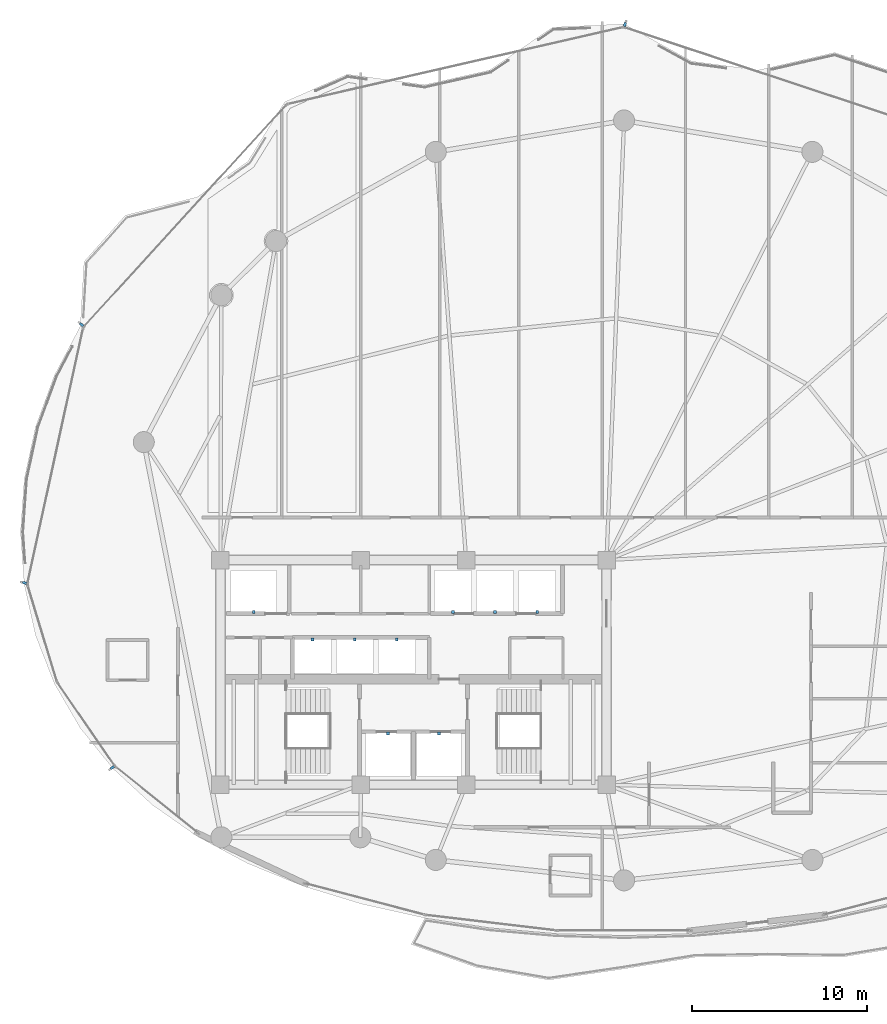
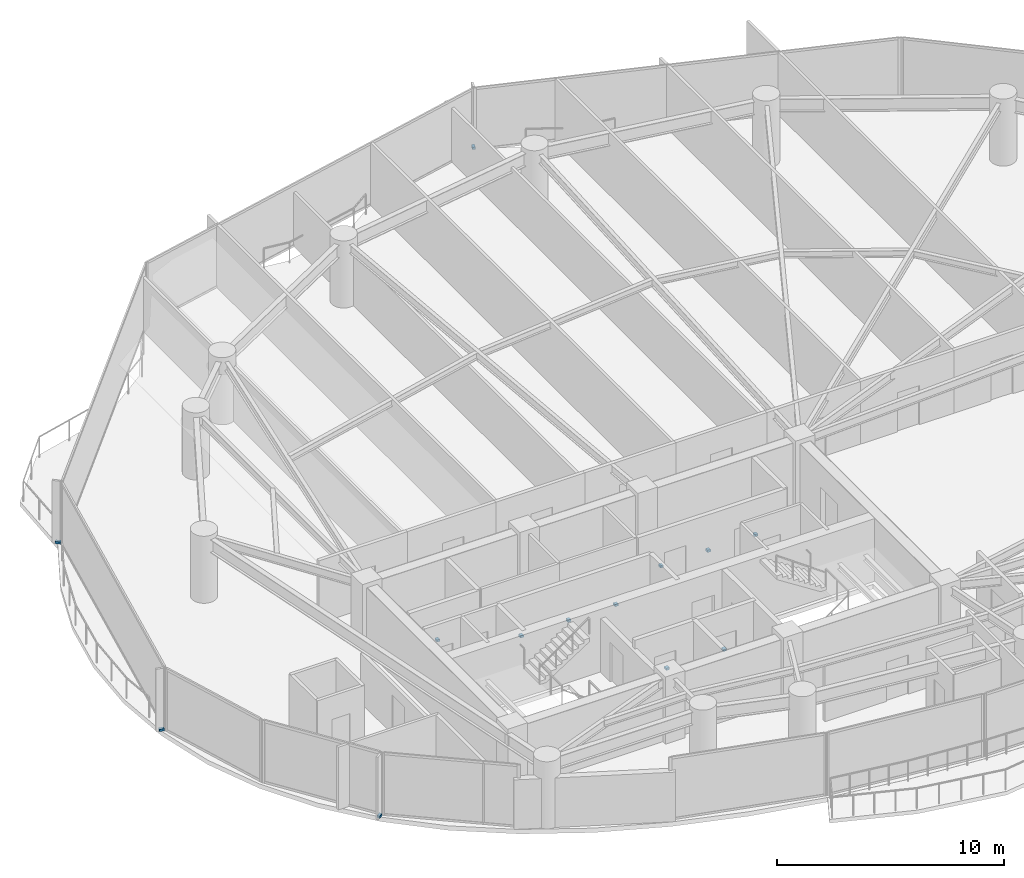
# One storey, part 29 of 34: 13 discrete accessories.
"""IFC4 building model written with IfcOpenShell, lengths in metres."""

from ifc_helpers import new_model, si_unit, direction, frame, origin, origin_2d, place, context, subcontext, project, spatial, rectangle, extrude, material, type_object, element, save


model = new_model("IFC4")

# Units and contexts
model_context = context("Model", 3, precision=1e-05, world=origin(), true_north=direction((0.0, 1.0)))
body_context = subcontext(model_context, "Body", "Model", "MODEL_VIEW")
ifc_project = project(units=[si_unit("LENGTHUNIT", "METRE"), si_unit("AREAUNIT", "SQUARE_METRE"), si_unit("VOLUMEUNIT", "CUBIC_METRE"), si_unit("PLANEANGLEUNIT", "RADIAN"), si_unit("MASSUNIT", "GRAM", prefix="KILO")], contexts=[model_context])

# Site, building, storey
site_placement = place(None, origin())
site = spatial("IfcSite", under=ifc_project, at=site_placement, CompositionType="ELEMENT")
building_placement = place(site_placement, origin())
building = spatial("IfcBuilding", under=site, at=building_placement, Name="Kazevale Care Tower and Concert Hall", CompositionType="ELEMENT")
storey_placement = place(building_placement, frame((0.0, 0.0, 171.0)))
storey = spatial("IfcBuildingStorey", under=building, at=storey_placement, Name="L45", CompositionType="ELEMENT", Elevation=171.0)

# Discrete accessories
ifc_material = material(Name="Stainless Steel 316", Category="steel")
discrete_accessory_type_1 = type_object("IfcDiscreteAccessoryType", Name="Facade Fin Stainless Anchor Bracket BRK-1", PredefinedType="BRACKET", material=ifc_material)
for number, where, z_axis, x_axis, name in (
    (1, (15.84130859375, 24.574462890625, 0.0), (0.0, 0.0, 1.0), (-0.823334533242, -0.567556381667, 0.0), "cw:L45:f11:brk"),
    (2, (10.83740234375, 35.099365234375, 0.0), (0.0, 0.0, 1.0), (-0.97708274037, 0.212859856409, 0.0), "cw:L45:f13:brk"),
    (3, (14.08544921875, 49.80908203125, 0.0), (0.0, 0.0, 1.0), (-0.738455340626, 0.674302387584, 0.0), "cw:L45:f14:brk"),
    (4, (45.049560546875, 66.916748046875, 0.0), (0.0, 0.0, 1.0), (0.314820866332, 0.949151106053, 0.0), "cw:L45:f16:brk"),
):
    element("IfcDiscreteAccessory", number, at=place(storey_placement, frame(where, z_axis=z_axis, x_axis=x_axis)), inside=storey, type_object=discrete_accessory_type_1, Name=name, PredefinedType="BRACKET", context=body_context, shape_type="SweptSolid", body=[
        extrude(rectangle(XDim=0.239990234375, YDim=0.139892578125, at=origin_2d()), origin(), (0.0, 0.0, 1.0), 0.1201171875),
    ])
discrete_accessory_type_2 = type_object("IfcDiscreteAccessoryType", Name="Hoistway Guide-Rail Wall Bracket HBRK-1", PredefinedType="BRACKET", material=ifc_material)
for number, where, z_axis, x_axis, name in (
    (5, (31.550048828125, 26.52001953125, 1.239990234375), (0.0, 0.0, 1.0), (1.0, 0.0, 0.0), "hbrk:FFL-1:L45"),
    (6, (34.449951171875, 26.52001953125, 1.239990234375), (0.0, 0.0, 1.0), (1.0, 0.0, 0.0), "hbrk:FFL-2:L45"),
    (7, (23.89990234375, 33.449951171875, 1.239990234375), (0.0, 0.0, 1.0), (1.0, 0.0, 0.0), "hbrk:SVL-1:L45"),
    (8, (35.25, 33.449951171875, 1.239990234375), (0.0, 0.0, 1.0), (1.0, 0.0, 0.0), "hbrk:PM-1:L45"),
    (9, (37.64990234375, 33.449951171875, 1.239990234375), (0.0, 0.0, 1.0), (1.0, 0.0, 0.0), "hbrk:PM-2:L45"),
    (10, (40.050048828125, 33.449951171875, 1.239990234375), (0.0, 0.0, 1.0), (1.0, 0.0, 0.0), "hbrk:PM-3:L45"),
    (11, (27.25, 31.8798828125, 1.239990234375), (0.0, 0.0, 1.0), (1.0, 0.0, 0.0), "hbrk:PH-1:L45"),
    (12, (29.64990234375, 31.8798828125, 1.239990234375), (0.0, 0.0, 1.0), (1.0, 0.0, 0.0), "hbrk:PH-2:L45"),
    (13, (32.050048828125, 31.8798828125, 1.239990234375), (0.0, 0.0, 1.0), (1.0, 0.0, 0.0), "hbrk:PH-3:L45"),
):
    element("IfcDiscreteAccessory", number, at=place(storey_placement, frame(where, z_axis=z_axis, x_axis=x_axis)), inside=storey, type_object=discrete_accessory_type_2, Name=name, PredefinedType="BRACKET", context=body_context, shape_type="SweptSolid", body=[
        extrude(rectangle(XDim=0.159912109375, YDim=0.179931640625, at=origin_2d()), origin(), (0.0, 0.0, 1.0), 0.1201171875),
    ])

save(model, "model.ifc")
